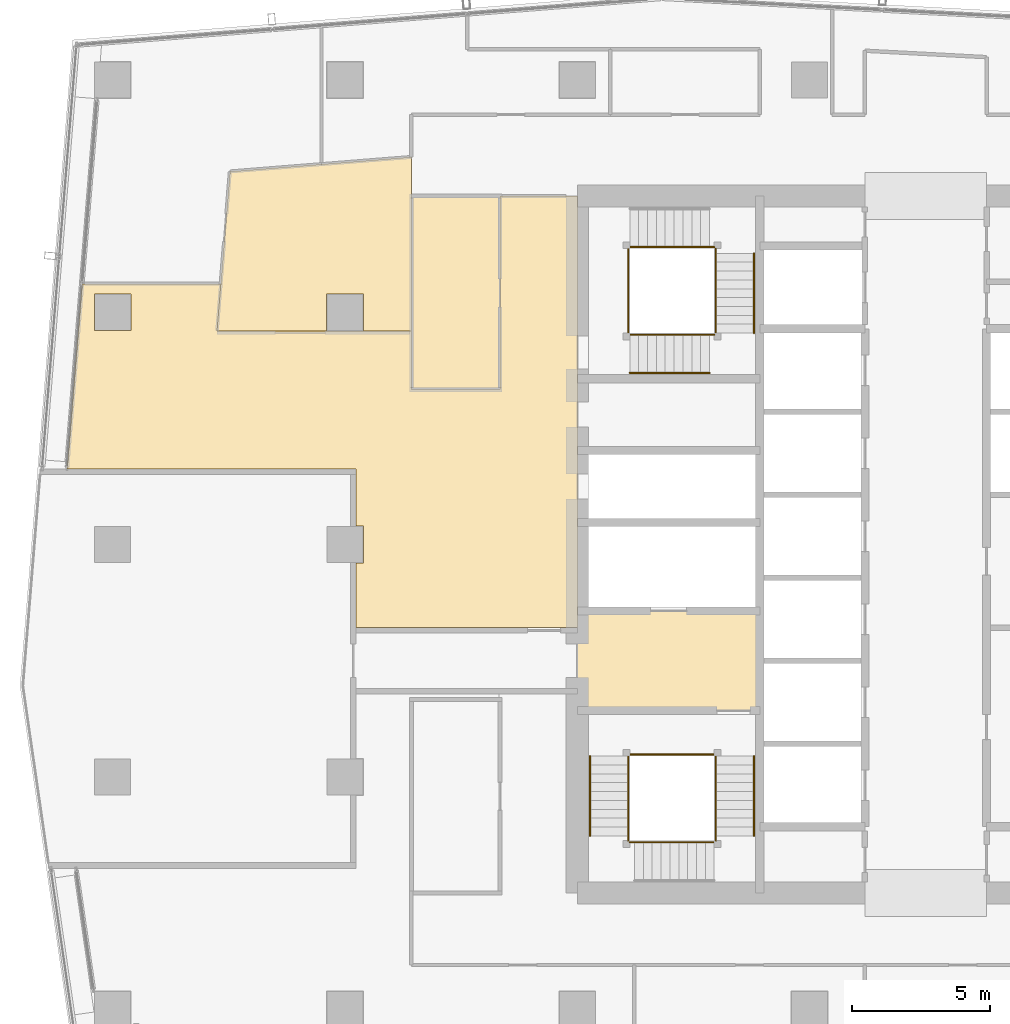
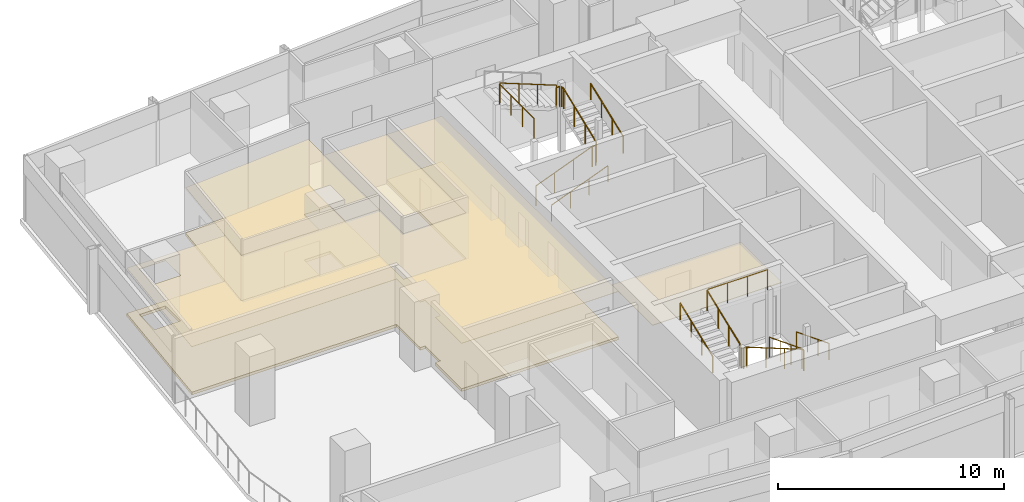
# One storey, part 25 of 28: 18 railings, 6 coverings.
"""IFC4 building model written with IfcOpenShell, lengths in metres."""

from ifc_helpers import new_model, si_unit, direction, frame, origin, origin_2d, place, context, subcontext, project, spatial, polyline, circle, outline, extrude, material, layer, layer_set, type_object, element, save


model = new_model("IFC4")

# Units and contexts
model_context = context("Model", 3, precision=1e-05, world=origin(), true_north=direction((0.0, 1.0)))
body_context = subcontext(model_context, "Body", "Model", "MODEL_VIEW")
ifc_project = project(units=[si_unit("LENGTHUNIT", "METRE"), si_unit("AREAUNIT", "SQUARE_METRE"), si_unit("VOLUMEUNIT", "CUBIC_METRE"), si_unit("PLANEANGLEUNIT", "RADIAN"), si_unit("MASSUNIT", "GRAM", prefix="KILO")], contexts=[model_context])

# Site, building, storey
site_placement = place(None, origin())
site = spatial("IfcSite", under=ifc_project, at=site_placement, CompositionType="ELEMENT")
building_placement = place(site_placement, origin())
building = spatial("IfcBuilding", under=site, at=building_placement, Name="Rekha Terrace Tower", CompositionType="ELEMENT")
storey_placement = place(building_placement, frame((0.0, 0.0, 268.85009765625)))
storey = spatial("IfcBuildingStorey", under=building, at=storey_placement, Name="L68", CompositionType="ELEMENT", Elevation=268.85009765625)

# Coverings
ifc_material_1 = material(Name="Mineral fibre tile in exposed grid", Category="finish")
ifc_layer_1 = layer(ifc_material_1, 0.02001953125)
ifc_layer_set_1 = layer_set([ifc_layer_1], Name="Mineral fibre tile in exposed grid")
covering_type_1 = type_object("IfcCoveringType", Name="CL1 600x1200 office grid ceiling", PredefinedType="CEILING", material=ifc_layer_set_1)
covering_1_placement = place(storey_placement, frame((0.0, 0.0, 2.579833984375)))
element("IfcCovering", 1, at=covering_1_placement, inside=storey, type_object=covering_type_1, Name="Ceiling L68-12", PredefinedType="CEILING", context=body_context, shape_type="SweptSolid", body=[
    extrude(outline(polyline([(22.39990234375, 46.199951171875), (22.39990234375, 39.199951171875), (19.199951171875, 39.199951171875), (19.199951171875, 41.3310546875), (12.174072265625, 41.3310546875), (12.31201171875, 43.02587890625), (7.2958984375, 43.02587890625), (6.75390625, 36.363037109375), (6.7509765625, 36.3310546875), (17.200927734375, 36.3310546875), (17.200927734375, 34.264892578125), (17.465087890625, 34.264892578125), (17.465087890625, 32.93505859375), (17.200927734375, 32.93505859375), (17.200927734375, 30.60107421875), (25.199951171875, 30.60107421875), (25.199951171875, 46.199951171875), (22.39990234375, 46.199951171875)]), holes=[polyline([(9.06494140625, 42.6650390625), (9.06494140625, 41.3349609375), (7.735107421875, 41.3349609375), (7.735107421875, 42.6650390625), (9.06494140625, 42.6650390625)])]), origin(), (0.0, 0.0, 1.0), 0.02001953125),
])
covering_2_placement = place(storey_placement, frame((0.0, 0.0, 2.579833984375)))
element("IfcCovering", 2, at=covering_2_placement, inside=storey, type_object=covering_type_1, Name="Ceiling L68-O2b", PredefinedType="CEILING", context=body_context, shape_type="SweptSolid", body=[
    extrude(outline(polyline([(12.64306640625, 47.0869140625), (12.31201171875, 43.02587890625), (12.174072265625, 41.3310546875), (16.135009765625, 41.3310546875), (16.135009765625, 42.6650390625), (17.465087890625, 42.6650390625), (17.465087890625, 41.3310546875), (19.199951171875, 41.3310546875), (19.199951171875, 47.610107421875), (15.93505859375, 47.35009765625), (12.64306640625, 47.0869140625)])), origin(), (0.0, 0.0, 1.0), 0.02001953125),
])
ifc_material_2 = material(Name="Fibre cement board", Category="finish")
ifc_layer_2 = layer(ifc_material_2, 0.014892578125)
ifc_layer_set_2 = layer_set([ifc_layer_2], Name="Fibre cement board")
covering_type_2 = type_object("IfcCoveringType", Name="CL2 moisture-resistant board ceiling", PredefinedType="CEILING", material=ifc_layer_set_2)
covering_3_placement = place(storey_placement, frame((0.0, 0.0, 2.5849609375)))
element("IfcCovering", 3, at=covering_3_placement, inside=storey, type_object=covering_type_2, Name="Ceiling L68-WCF2", PredefinedType="CEILING", context=body_context, shape_type="SweptSolid", body=[
    extrude(outline(polyline([(22.39990234375, 46.199951171875), (19.199951171875, 46.199951171875), (19.199951171875, 39.199951171875), (22.39990234375, 39.199951171875), (22.39990234375, 46.199951171875)])), origin(), (0.0, 0.0, 1.0), 0.014892578125),
])
ifc_material_3 = material(Name="Powder-coated aluminium pan", Category="aluminium")
ifc_layer_3 = layer(ifc_material_3, 0.030029296875)
ifc_layer_set_3 = layer_set([ifc_layer_3], Name="Powder-coated aluminium pan")
covering_type_3 = type_object("IfcCoveringType", Name="CL3 300x1200 metal pan ceiling", PredefinedType="CEILING", material=ifc_layer_set_3)
covering_4_placement = place(storey_placement, frame((0.0, 0.0, 2.56982421875)))
element("IfcCovering", 4, at=covering_4_placement, inside=storey, type_object=covering_type_3, Name="Ceiling L68-FLB1", PredefinedType="CEILING", context=body_context, shape_type="SweptSolid", body=[
    extrude(outline(polyline([(31.800048828125, 31.199951171875), (25.199951171875, 31.199951171875), (25.199951171875, 27.60009765625), (31.800048828125, 27.60009765625), (31.800048828125, 31.199951171875)])), origin(), (0.0, 0.0, 1.0), 0.030029296875),
])

# Railings
ifc_material_4 = material(Name="Stainless steel balustrade", Category="steel")
railing_type_1 = type_object("IfcRailingType", Name="GR1 1100 stair guard", PredefinedType="GUARDRAIL", material=ifc_material_4)
railing_1_placement = place(storey_placement, frame((30.2099609375, 25.949951171875, 0.125)))
element("IfcRailing", 5, at=railing_1_placement, inside=storey, type_object=railing_type_1, Name="Guard ST1 L68 flight 1", PredefinedType="GUARDRAIL", context=body_context, shape_type="SweptSolid", body=[
    extrude(circle(Radius=0.02392578125, at=origin_2d()), frame((0.0, 0.0, 1.076171875), z_axis=(0.0, -0.931452331594, 0.363863372667), x_axis=(1.0, 0.0, 0.0)), (0.0, 0.0, 1.0), 3.091796875),
    extrude(circle(Radius=0.02099609375, at=origin_2d()), origin(), (0.0, 0.0, 1.0), 1.052001953125),
    extrude(circle(Radius=0.02099609375, at=origin_2d()), frame((0.0, -0.9599609375, 0.375)), (0.0, 0.0, 1.0), 1.052001953125),
    extrude(circle(Radius=0.02099609375, at=origin_2d()), frame((0.0, -1.919921875, 0.75)), (0.0, 0.0, 1.0), 1.052001953125),
    extrude(circle(Radius=0.02099609375, at=origin_2d()), frame((0.0, -2.8798828125, 1.125)), (0.0, 0.0, 1.0), 1.052001953125),
])
railing_2_placement = place(storey_placement, frame((30.14990234375, 22.840087890625, 1.375)))
element("IfcRailing", 6, at=railing_2_placement, inside=storey, type_object=railing_type_1, Name="Guard ST1 L68 flight 2", PredefinedType="GUARDRAIL", context=body_context, shape_type="SweptSolid", body=[
    extrude(circle(Radius=0.02392578125, at=origin_2d()), frame((0.0, 0.0, 1.076171875), z_axis=(-0.931452331594, 0.0, 0.363863372667), x_axis=(0.0, -1.0, 0.0)), (0.0, 0.0, 1.0), 3.091796875),
    extrude(circle(Radius=0.02099609375, at=origin_2d()), origin(), (0.0, 0.0, 1.0), 1.052001953125),
    extrude(circle(Radius=0.02099609375, at=origin_2d()), frame((-0.9599609375, 0.0, 0.375)), (0.0, 0.0, 1.0), 1.052001953125),
    extrude(circle(Radius=0.02099609375, at=origin_2d()), frame((-1.919921875, 0.0, 0.75)), (0.0, 0.0, 1.0), 1.052001953125),
    extrude(circle(Radius=0.02099609375, at=origin_2d()), frame((-2.8798828125, 0.0, 1.125)), (0.0, 0.0, 1.0), 1.052001953125),
])
railing_3_placement = place(storey_placement, frame((27.0400390625, 23.070068359375, 2.625)))
element("IfcRailing", 7, at=railing_3_placement, inside=storey, type_object=railing_type_1, Name="Guard ST1 L68 flight 3", PredefinedType="GUARDRAIL", context=body_context, shape_type="SweptSolid", body=[
    extrude(circle(Radius=0.02392578125, at=origin_2d()), frame((0.0, 0.0, 1.076171875), z_axis=(0.0, 0.931452331594, 0.363863372667), x_axis=(-1.0, 0.0, 0.0)), (0.0, 0.0, 1.0), 3.091796875),
    extrude(circle(Radius=0.02099609375, at=origin_2d()), origin(), (0.0, 0.0, 1.0), 1.052001953125),
    extrude(circle(Radius=0.02099609375, at=origin_2d()), frame((0.0, 0.9599609375, 0.375)), (0.0, 0.0, 1.0), 1.052001953125),
    extrude(circle(Radius=0.02099609375, at=origin_2d()), frame((0.0, 1.919921875, 0.75)), (0.0, 0.0, 1.0), 1.052001953125),
    extrude(circle(Radius=0.02099609375, at=origin_2d()), frame((0.0, 2.8798828125, 1.125)), (0.0, 0.0, 1.0), 1.052001953125),
])
railing_4_placement = place(storey_placement, frame((30.2099609375, 23.070068359375, 1.25)))
element("IfcRailing", 8, at=railing_4_placement, inside=storey, type_object=railing_type_1, Name="Guard ST1 L68 landing 1", PredefinedType="GUARDRAIL", context=body_context, shape_type="SweptSolid", body=[
    extrude(circle(Radius=0.02392578125, at=origin_2d()), frame((0.0, 0.0, 1.076171875), z_axis=(0.0, -1.0, 0.0), x_axis=(1.0, 0.0, 0.0)), (0.0, 0.0, 1.0), 0.170166015625),
    extrude(circle(Radius=0.02099609375, at=origin_2d()), origin(), (0.0, 0.0, 1.0), 1.052001953125),
    extrude(circle(Radius=0.02099609375, at=origin_2d()), frame((0.0, -0.170166015625, 0.0)), (0.0, 0.0, 1.0), 1.052001953125),
])
railing_5_placement = place(storey_placement, frame((27.27001953125, 22.840087890625, 2.5)))
element("IfcRailing", 9, at=railing_5_placement, inside=storey, type_object=railing_type_1, Name="Guard ST1 L68 landing 2", PredefinedType="GUARDRAIL", context=body_context, shape_type="SweptSolid", body=[
    extrude(circle(Radius=0.02392578125, at=origin_2d()), frame((0.0, 0.0, 1.076171875), z_axis=(-1.0, 0.0, 0.0), x_axis=(0.0, -1.0, 0.0)), (0.0, 0.0, 1.0), 0.169921875),
    extrude(circle(Radius=0.02099609375, at=origin_2d()), origin(), (0.0, 0.0, 1.0), 1.052001953125),
    extrude(circle(Radius=0.02099609375, at=origin_2d()), frame((-0.169921875, 0.0, 0.0)), (0.0, 0.0, 1.0), 1.052001953125),
])
railing_6_placement = place(storey_placement, frame((27.0400390625, 23.070068359375, 2.5)))
element("IfcRailing", 10, at=railing_6_placement, inside=storey, type_object=railing_type_1, Name="Guard ST1 L68 landing 3", PredefinedType="GUARDRAIL", context=body_context, shape_type="SweptSolid", body=[
    extrude(circle(Radius=0.02392578125, at=origin_2d()), frame((0.0, 0.0, 1.076171875), z_axis=(0.0, -1.0, 0.0), x_axis=(1.0, 0.0, 0.0)), (0.0, 0.0, 1.0), 0.170166015625),
    extrude(circle(Radius=0.02099609375, at=origin_2d()), origin(), (0.0, 0.0, 1.0), 1.052001953125),
    extrude(circle(Radius=0.02099609375, at=origin_2d()), frame((0.0, -0.170166015625, 0.0)), (0.0, 0.0, 1.0), 1.052001953125),
])
railing_7_placement = place(storey_placement, frame((30.14990234375, 26.010009765625, 3.75)))
element("IfcRailing", 11, at=railing_7_placement, inside=storey, type_object=railing_type_1, Name="Guard ST1 L68 landing 4", PredefinedType="GUARDRAIL", context=body_context, shape_type="SweptSolid", body=[
    extrude(circle(Radius=0.02392578125, at=origin_2d()), frame((0.0, 0.0, 1.076171875), z_axis=(-1.0, 0.0, 0.0), x_axis=(0.0, -1.0, 0.0)), (0.0, 0.0, 1.0), 3.0498046875),
    extrude(circle(Radius=0.02099609375, at=origin_2d()), origin(), (0.0, 0.0, 1.0), 1.052001953125),
    extrude(circle(Radius=0.02099609375, at=origin_2d()), frame((-1.0166015625, 0.0, 0.0)), (0.0, 0.0, 1.0), 1.052001953125),
    extrude(circle(Radius=0.02099609375, at=origin_2d()), frame((-2.033203125, 0.0, 0.0)), (0.0, 0.0, 1.0), 1.052001953125),
    extrude(circle(Radius=0.02099609375, at=origin_2d()), frame((-3.0498046875, 0.0, 0.0)), (0.0, 0.0, 1.0), 1.052001953125),
])
railing_8_placement = place(storey_placement, frame((27.10009765625, 41.18994140625, 0.125)))
element("IfcRailing", 12, at=railing_8_placement, inside=storey, type_object=railing_type_1, Name="Guard ST4 L68 flight 1", PredefinedType="GUARDRAIL", context=body_context, shape_type="SweptSolid", body=[
    extrude(circle(Radius=0.02392578125, at=origin_2d()), frame((0.0, 0.0, 1.076171875), z_axis=(0.931452331594, 0.0, 0.363863372667), x_axis=(0.0, 1.0, 0.0)), (0.0, 0.0, 1.0), 3.091796875),
    extrude(circle(Radius=0.02099609375, at=origin_2d()), origin(), (0.0, 0.0, 1.0), 1.052001953125),
    extrude(circle(Radius=0.02099609375, at=origin_2d()), frame((0.9599609375, 0.0, 0.375)), (0.0, 0.0, 1.0), 1.052001953125),
    extrude(circle(Radius=0.02099609375, at=origin_2d()), frame((1.919921875, 0.0, 0.75)), (0.0, 0.0, 1.0), 1.052001953125),
    extrude(circle(Radius=0.02099609375, at=origin_2d()), frame((2.8798828125, 0.0, 1.125)), (0.0, 0.0, 1.0), 1.052001953125),
])
railing_9_placement = place(storey_placement, frame((30.2099609375, 41.25, 1.375)))
element("IfcRailing", 13, at=railing_9_placement, inside=storey, type_object=railing_type_1, Name="Guard ST4 L68 flight 2", PredefinedType="GUARDRAIL", context=body_context, shape_type="SweptSolid", body=[
    extrude(circle(Radius=0.02392578125, at=origin_2d()), frame((0.0, 0.0, 1.076171875), z_axis=(0.0, 0.931452331594, 0.363863372667), x_axis=(-1.0, 0.0, 0.0)), (0.0, 0.0, 1.0), 3.091796875),
    extrude(circle(Radius=0.02099609375, at=origin_2d()), origin(), (0.0, 0.0, 1.0), 1.052001953125),
    extrude(circle(Radius=0.02099609375, at=origin_2d()), frame((0.0, 0.9599609375, 0.375)), (0.0, 0.0, 1.0), 1.052001953125),
    extrude(circle(Radius=0.02099609375, at=origin_2d()), frame((0.0, 1.919921875, 0.75)), (0.0, 0.0, 1.0), 1.052001953125),
    extrude(circle(Radius=0.02099609375, at=origin_2d()), frame((0.0, 2.8798828125, 1.125)), (0.0, 0.0, 1.0), 1.052001953125),
])
railing_10_placement = place(storey_placement, frame((29.97998046875, 44.360107421875, 2.625)))
element("IfcRailing", 14, at=railing_10_placement, inside=storey, type_object=railing_type_1, Name="Guard ST4 L68 flight 3", PredefinedType="GUARDRAIL", context=body_context, shape_type="SweptSolid", body=[
    extrude(circle(Radius=0.02392578125, at=origin_2d()), frame((0.0, 0.0, 1.076171875), z_axis=(-0.931452331594, 0.0, 0.363863372667), x_axis=(0.0, -1.0, 0.0)), (0.0, 0.0, 1.0), 3.091796875),
    extrude(circle(Radius=0.02099609375, at=origin_2d()), origin(), (0.0, 0.0, 1.0), 1.052001953125),
    extrude(circle(Radius=0.02099609375, at=origin_2d()), frame((-0.9599609375, 0.0, 0.375)), (0.0, 0.0, 1.0), 1.052001953125),
    extrude(circle(Radius=0.02099609375, at=origin_2d()), frame((-1.919921875, 0.0, 0.75)), (0.0, 0.0, 1.0), 1.052001953125),
    extrude(circle(Radius=0.02099609375, at=origin_2d()), frame((-2.8798828125, 0.0, 1.125)), (0.0, 0.0, 1.0), 1.052001953125),
])
railing_11_placement = place(storey_placement, frame((29.97998046875, 41.18994140625, 1.25)))
element("IfcRailing", 15, at=railing_11_placement, inside=storey, type_object=railing_type_1, Name="Guard ST4 L68 landing 1", PredefinedType="GUARDRAIL", context=body_context, shape_type="SweptSolid", body=[
    extrude(circle(Radius=0.02392578125, at=origin_2d()), frame((0.0, 0.0, 1.076171875), z_axis=(1.0, 0.0, 0.0), x_axis=(0.0, 1.0, 0.0)), (0.0, 0.0, 1.0), 0.169921875),
    extrude(circle(Radius=0.02099609375, at=origin_2d()), origin(), (0.0, 0.0, 1.0), 1.052001953125),
    extrude(circle(Radius=0.02099609375, at=origin_2d()), frame((0.169921875, 0.0, 0.0)), (0.0, 0.0, 1.0), 1.052001953125),
])
railing_12_placement = place(storey_placement, frame((30.2099609375, 44.1298828125, 2.5)))
element("IfcRailing", 16, at=railing_12_placement, inside=storey, type_object=railing_type_1, Name="Guard ST4 L68 landing 2", PredefinedType="GUARDRAIL", context=body_context, shape_type="SweptSolid", body=[
    extrude(circle(Radius=0.02392578125, at=origin_2d()), frame((0.0, 0.0, 1.076171875), z_axis=(0.0, 1.0, 0.0), x_axis=(-1.0, 0.0, 0.0)), (0.0, 0.0, 1.0), 0.170166015625),
    extrude(circle(Radius=0.02099609375, at=origin_2d()), origin(), (0.0, 0.0, 1.0), 1.052001953125),
    extrude(circle(Radius=0.02099609375, at=origin_2d()), frame((0.0, 0.170166015625, 0.0)), (0.0, 0.0, 1.0), 1.052001953125),
])
railing_13_placement = place(storey_placement, frame((29.97998046875, 44.360107421875, 2.5)))
element("IfcRailing", 17, at=railing_13_placement, inside=storey, type_object=railing_type_1, Name="Guard ST4 L68 landing 3", PredefinedType="GUARDRAIL", context=body_context, shape_type="SweptSolid", body=[
    extrude(circle(Radius=0.02392578125, at=origin_2d()), frame((0.0, 0.0, 1.076171875), z_axis=(1.0, 0.0, 0.0), x_axis=(0.0, 1.0, 0.0)), (0.0, 0.0, 1.0), 0.169921875),
    extrude(circle(Radius=0.02099609375, at=origin_2d()), origin(), (0.0, 0.0, 1.0), 1.052001953125),
    extrude(circle(Radius=0.02099609375, at=origin_2d()), frame((0.169921875, 0.0, 0.0)), (0.0, 0.0, 1.0), 1.052001953125),
])
railing_14_placement = place(storey_placement, frame((27.0400390625, 41.25, 3.75)))
element("IfcRailing", 18, at=railing_14_placement, inside=storey, type_object=railing_type_1, Name="Guard ST4 L68 landing 4", PredefinedType="GUARDRAIL", context=body_context, shape_type="SweptSolid", body=[
    extrude(circle(Radius=0.02392578125, at=origin_2d()), frame((0.0, 0.0, 1.076171875), z_axis=(0.0, 1.0, 0.0), x_axis=(-1.0, 0.0, 0.0)), (0.0, 0.0, 1.0), 3.050048828125),
    extrude(circle(Radius=0.02099609375, at=origin_2d()), origin(), (0.0, 0.0, 1.0), 1.052001953125),
    extrude(circle(Radius=0.02099609375, at=origin_2d()), frame((0.0, 1.0166015625, 0.0)), (0.0, 0.0, 1.0), 1.052001953125),
    extrude(circle(Radius=0.02099609375, at=origin_2d()), frame((0.0, 2.033447265625, 0.0)), (0.0, 0.0, 1.0), 1.052001953125),
    extrude(circle(Radius=0.02099609375, at=origin_2d()), frame((0.0, 3.050048828125, 0.0)), (0.0, 0.0, 1.0), 1.052001953125),
])
ifc_material_5 = material(Name="Stainless steel tube", Category="steel")
railing_type_2 = type_object("IfcRailingType", Name="HR1 900 stair handrail", PredefinedType="HANDRAIL", material=ifc_material_5)
railing_15_placement = place(storey_placement, frame((31.590087890625, 25.949951171875, 0.125)))
element("IfcRailing", 19, at=railing_15_placement, inside=storey, type_object=railing_type_2, Name="Handrail ST1 L68 flight 1", PredefinedType="HANDRAIL", context=body_context, shape_type="SweptSolid", body=[
    extrude(circle(Radius=0.02392578125, at=origin_2d()), frame((0.0, 0.0, 0.8759765625), z_axis=(0.0, -0.931452331594, 0.363863372667), x_axis=(1.0, 0.0, 0.0)), (0.0, 0.0, 1.0), 3.091796875),
    extrude(circle(Radius=0.02099609375, at=origin_2d()), origin(), (0.0, 0.0, 1.0), 0.851806640625),
    extrude(circle(Radius=0.02099609375, at=origin_2d()), frame((0.0, -0.9599609375, 0.375)), (0.0, 0.0, 1.0), 0.851806640625),
    extrude(circle(Radius=0.02099609375, at=origin_2d()), frame((0.0, -1.919921875, 0.75)), (0.0, 0.0, 1.0), 0.851806640625),
    extrude(circle(Radius=0.02099609375, at=origin_2d()), frame((0.0, -2.8798828125, 1.125)), (0.0, 0.0, 1.0), 0.851806640625),
])
railing_16_placement = place(storey_placement, frame((25.659912109375, 23.070068359375, 2.625)))
element("IfcRailing", 20, at=railing_16_placement, inside=storey, type_object=railing_type_2, Name="Handrail ST1 L68 flight 3", PredefinedType="HANDRAIL", context=body_context, shape_type="SweptSolid", body=[
    extrude(circle(Radius=0.02392578125, at=origin_2d()), frame((0.0, 0.0, 0.8759765625), z_axis=(0.0, 0.931452331594, 0.363863372667), x_axis=(-1.0, 0.0, 0.0)), (0.0, 0.0, 1.0), 3.091796875),
    extrude(circle(Radius=0.02099609375, at=origin_2d()), origin(), (0.0, 0.0, 1.0), 0.851806640625),
    extrude(circle(Radius=0.02099609375, at=origin_2d()), frame((0.0, 0.9599609375, 0.375)), (0.0, 0.0, 1.0), 0.851806640625),
    extrude(circle(Radius=0.02099609375, at=origin_2d()), frame((0.0, 1.919921875, 0.75)), (0.0, 0.0, 1.0), 0.851806640625),
    extrude(circle(Radius=0.02099609375, at=origin_2d()), frame((0.0, 2.8798828125, 1.125)), (0.0, 0.0, 1.0), 0.851806640625),
])
railing_17_placement = place(storey_placement, frame((27.10009765625, 39.81005859375, 0.125)))
element("IfcRailing", 21, at=railing_17_placement, inside=storey, type_object=railing_type_2, Name="Handrail ST4 L68 flight 1", PredefinedType="HANDRAIL", context=body_context, shape_type="SweptSolid", body=[
    extrude(circle(Radius=0.02392578125, at=origin_2d()), frame((0.0, 0.0, 0.8759765625), z_axis=(0.931452331594, 0.0, 0.363863372667), x_axis=(0.0, 1.0, 0.0)), (0.0, 0.0, 1.0), 3.091796875),
    extrude(circle(Radius=0.02099609375, at=origin_2d()), origin(), (0.0, 0.0, 1.0), 0.851806640625),
    extrude(circle(Radius=0.02099609375, at=origin_2d()), frame((0.9599609375, 0.0, 0.375)), (0.0, 0.0, 1.0), 0.851806640625),
    extrude(circle(Radius=0.02099609375, at=origin_2d()), frame((1.919921875, 0.0, 0.75)), (0.0, 0.0, 1.0), 0.851806640625),
    extrude(circle(Radius=0.02099609375, at=origin_2d()), frame((2.8798828125, 0.0, 1.125)), (0.0, 0.0, 1.0), 0.851806640625),
])
railing_18_placement = place(storey_placement, frame((31.590087890625, 41.25, 1.375)))
element("IfcRailing", 22, at=railing_18_placement, inside=storey, type_object=railing_type_2, Name="Handrail ST4 L68 flight 2", PredefinedType="HANDRAIL", context=body_context, shape_type="SweptSolid", body=[
    extrude(circle(Radius=0.02392578125, at=origin_2d()), frame((0.0, 0.0, 0.8759765625), z_axis=(0.0, 0.931452331594, 0.363863372667), x_axis=(-1.0, 0.0, 0.0)), (0.0, 0.0, 1.0), 3.091796875),
    extrude(circle(Radius=0.02099609375, at=origin_2d()), origin(), (0.0, 0.0, 1.0), 0.851806640625),
    extrude(circle(Radius=0.02099609375, at=origin_2d()), frame((0.0, 0.9599609375, 0.375)), (0.0, 0.0, 1.0), 0.851806640625),
    extrude(circle(Radius=0.02099609375, at=origin_2d()), frame((0.0, 1.919921875, 0.75)), (0.0, 0.0, 1.0), 0.851806640625),
    extrude(circle(Radius=0.02099609375, at=origin_2d()), frame((0.0, 2.8798828125, 1.125)), (0.0, 0.0, 1.0), 0.851806640625),
])

# Coverings
ifc_material_6 = material(Name="Calcium sulphate panels on steel pedestals", Category="steel")
ifc_layer_4 = layer(ifc_material_6, 0.14990234375)
ifc_layer_set_4 = layer_set([ifc_layer_4], Name="Calcium sulphate panels on steel pedestals")
covering_type_4 = type_object("IfcCoveringType", Name="RF1 150 raised access floor", PredefinedType="FLOORING", material=ifc_layer_set_4)
covering_5_placement = place(storey_placement, origin())
element("IfcCovering", 23, at=covering_5_placement, inside=storey, type_object=covering_type_4, Name="Raised floor L68-12", PredefinedType="FLOORING", context=body_context, shape_type="SweptSolid", body=[
    extrude(outline(polyline([(22.39990234375, 46.199951171875), (22.39990234375, 39.199951171875), (19.199951171875, 39.199951171875), (19.199951171875, 41.3310546875), (12.174072265625, 41.3310546875), (12.31201171875, 43.02587890625), (7.2958984375, 43.02587890625), (6.75390625, 36.363037109375), (6.7509765625, 36.3310546875), (17.200927734375, 36.3310546875), (17.200927734375, 34.264892578125), (17.465087890625, 34.264892578125), (17.465087890625, 32.93505859375), (17.200927734375, 32.93505859375), (17.200927734375, 30.60107421875), (25.199951171875, 30.60107421875), (25.199951171875, 46.199951171875), (22.39990234375, 46.199951171875)]), holes=[polyline([(9.06494140625, 42.6650390625), (9.06494140625, 41.3349609375), (7.735107421875, 41.3349609375), (7.735107421875, 42.6650390625), (9.06494140625, 42.6650390625)])]), origin(), (0.0, 0.0, 1.0), 0.14990234375),
])
covering_6_placement = place(storey_placement, origin())
element("IfcCovering", 24, at=covering_6_placement, inside=storey, type_object=covering_type_4, Name="Raised floor L68-O2b", PredefinedType="FLOORING", context=body_context, shape_type="SweptSolid", body=[
    extrude(outline(polyline([(12.64306640625, 47.0869140625), (12.31201171875, 43.02587890625), (12.174072265625, 41.3310546875), (16.135009765625, 41.3310546875), (16.135009765625, 42.6650390625), (17.465087890625, 42.6650390625), (17.465087890625, 41.3310546875), (19.199951171875, 41.3310546875), (19.199951171875, 47.610107421875), (15.93505859375, 47.35009765625), (12.64306640625, 47.0869140625)])), origin(), (0.0, 0.0, 1.0), 0.14990234375),
])

save(model, "model.ifc")
